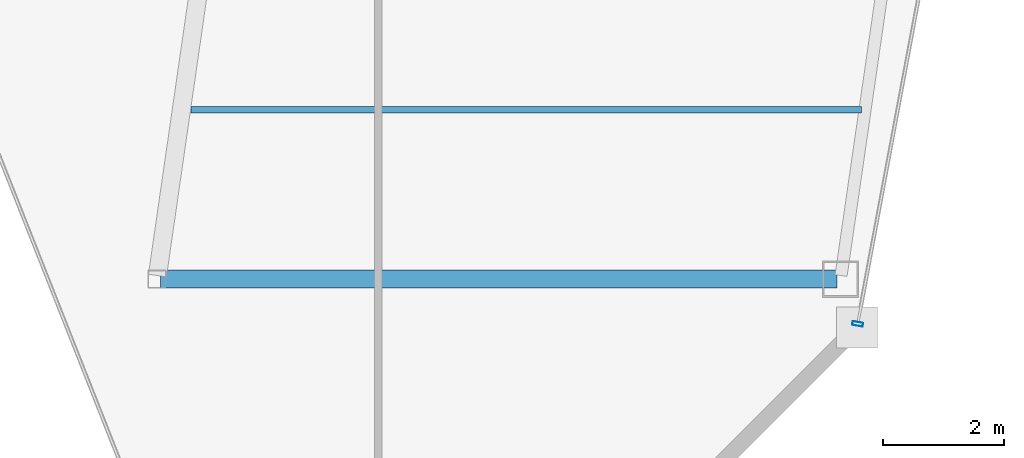
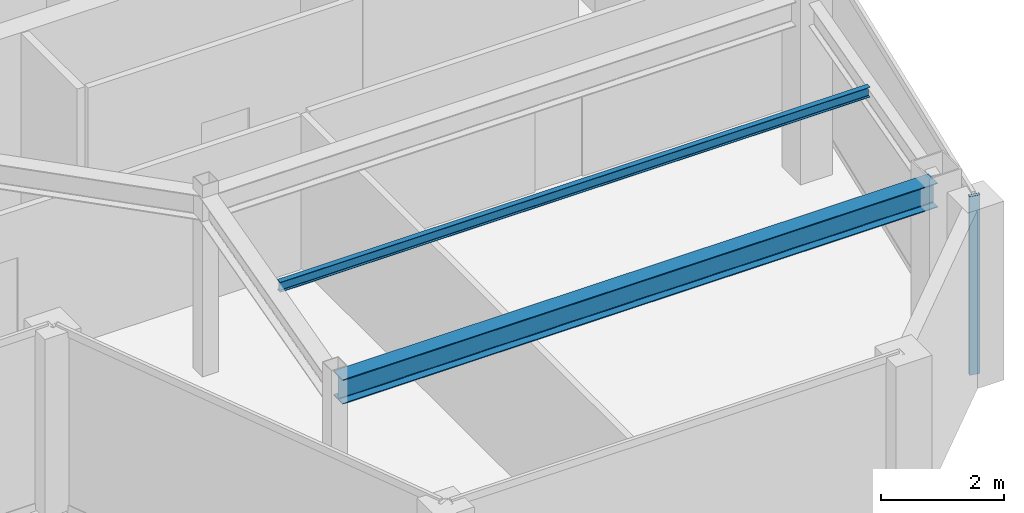
# One storey, part 12 of 22: 2 beams, 1 member, 1 element without a shape of its own.
"""IFC4 building model written with IfcOpenShell, lengths in metres."""

from ifc_helpers import new_model, si_unit, direction, frame, origin, origin_2d, place, context, subcontext, project, spatial, hollow_rectangle, i_section, extrude, material, material_profile, profile_set, type_object, element, aggregate, save


model = new_model("IFC4")

# Units and contexts
model_context = context("Model", 3, precision=1e-05, world=origin(), true_north=direction((0.0, 1.0)))
body_context = subcontext(model_context, "Body", "Model", "MODEL_VIEW")
ifc_project = project(units=[si_unit("LENGTHUNIT", "METRE"), si_unit("AREAUNIT", "SQUARE_METRE"), si_unit("VOLUMEUNIT", "CUBIC_METRE"), si_unit("PLANEANGLEUNIT", "RADIAN"), si_unit("MASSUNIT", "GRAM", prefix="KILO")], contexts=[model_context])

# Site, building, storey
site_placement = place(None, origin())
site = spatial("IfcSite", under=ifc_project, at=site_placement, CompositionType="ELEMENT")
building_placement = place(site_placement, origin())
building = spatial("IfcBuilding", under=site, at=building_placement, Name="Saevonmaru Cultural Tower", CompositionType="ELEMENT")
storey_placement = place(building_placement, frame((0.0, 0.0, 287.60009765625)))
storey = spatial("IfcBuildingStorey", under=building, at=storey_placement, Name="L68", CompositionType="ELEMENT", Elevation=287.60009765625)

# Beams
ifc_material_1 = material(Name="Steel SM355", Category="steel")
ifc_material_profile_1 = material_profile(ifc_material_1, i_section(OverallWidth=0.300048828125, OverallDepth=0.488037109375, WebThickness=0.010986328125, FlangeThickness=0.01806640625, FilletRadius=0.02197265625, at=origin_2d()), Name="H-488x300x11x18")
ifc_profile_set_1 = profile_set([ifc_material_profile_1], Name="Steel SM355")
beam_type_1 = type_object("IfcBeamType", Name="BM-G-H488", PredefinedType="BEAM", material=ifc_profile_set_1)
beam_1_placement = place(storey_placement, frame((40.443115234375, 32.0, 3.305908203125), z_axis=(1.0, 0.0, 0.0), x_axis=(0.0, 1.0, 0.0)))
element("IfcBeam", 1, at=beam_1_placement, inside=storey, type_object=beam_type_1, Name="L68 East Wing Transverse Girder 1", PredefinedType="BEAM", context=body_context, shape_type="SweptSolid", body=[
    extrude(i_section(OverallWidth=0.300048828125, OverallDepth=0.488037109375, WebThickness=0.010986328125, FlangeThickness=0.01806640625, FilletRadius=0.02197265625, at=origin_2d()), origin(), (0.0, 0.0, 1.0), 11.179931640625),
])
ifc_material_profile_2 = material_profile(ifc_material_1, i_section(OverallWidth=0.10009765625, OverallDepth=0.199951171875, WebThickness=0.005615234375, FlangeThickness=0.008056640625, FilletRadius=0.008056640625, at=origin_2d()), Name="H-200x100x5.5x8")
ifc_profile_set_2 = profile_set([ifc_material_profile_2], Name="Steel SM355")
beam_type_2 = type_object("IfcBeamType", Name="BM-J-H200", PredefinedType="JOIST", material=ifc_profile_set_2)
beam_2_placement = place(storey_placement, frame((40.945556640625, 34.800048828125, 3.449951171875), z_axis=(1.0, 0.0, 0.0), x_axis=(0.0, 1.0, 0.0)))
element("IfcBeam", 2, at=beam_2_placement, inside=storey, type_object=beam_type_2, Name="L68 East Wing Floor Joist 1", PredefinedType="JOIST", context=body_context, shape_type="SweptSolid", body=[
    extrude(i_section(OverallWidth=0.10009765625, OverallDepth=0.199951171875, WebThickness=0.005615234375, FlangeThickness=0.008056640625, FilletRadius=0.008056640625, at=origin_2d()), origin(), (0.0, 0.0, 1.0), 11.08203125),
])

# Curtain wall, member
ifc_material_2 = material(Name="Satin Bronze Anodised Aluminium", Category="aluminium")
curtain_wall_type = type_object("IfcCurtainWallType", Name="CW-TYP-B", PredefinedType="NOTDEFINED", material=ifc_material_2)
curtain_wall_placement = place(storey_placement, origin())
curtain_wall = element("IfcCurtainWall", 3, at=curtain_wall_placement, inside=storey, type_object=curtain_wall_type, Name="L68 Unitised Curtain Wall E8", PredefinedType="NOTDEFINED")
ifc_material_profile_3 = material_profile(ifc_material_2, hollow_rectangle(XDim=0.06494140625, YDim=0.179931640625, WallThickness=0.00390625, at=origin_2d()), Name="ALU-MULL-180x65x4")
ifc_profile_set_3 = profile_set([ifc_material_profile_3], Name="Satin Bronze Anodised Aluminium")
member_type = type_object("IfcMemberType", Name="ML-CW-180x65", PredefinedType="MULLION", material=ifc_profile_set_3)
member_placement = place(storey_placement, frame((51.966552734375, 31.259033203125, 0.0), z_axis=(0.0, 0.0, 1.0), x_axis=(0.184046528232, 0.982917532373, 0.0)))
member = element("IfcMember", 4, at=member_placement, type_object=member_type, Name="CW-TW-L68-E8 mullion 1", PredefinedType="MULLION", context=body_context, shape_type="SweptSolid", body=[
    extrude(hollow_rectangle(XDim=0.06494140625, YDim=0.179931640625, WallThickness=0.00390625, at=origin_2d()), origin(), (0.0, 0.0, 1.0), 3.5498046875),
])
aggregate(curtain_wall, [member])

save(model, "model.ifc")
